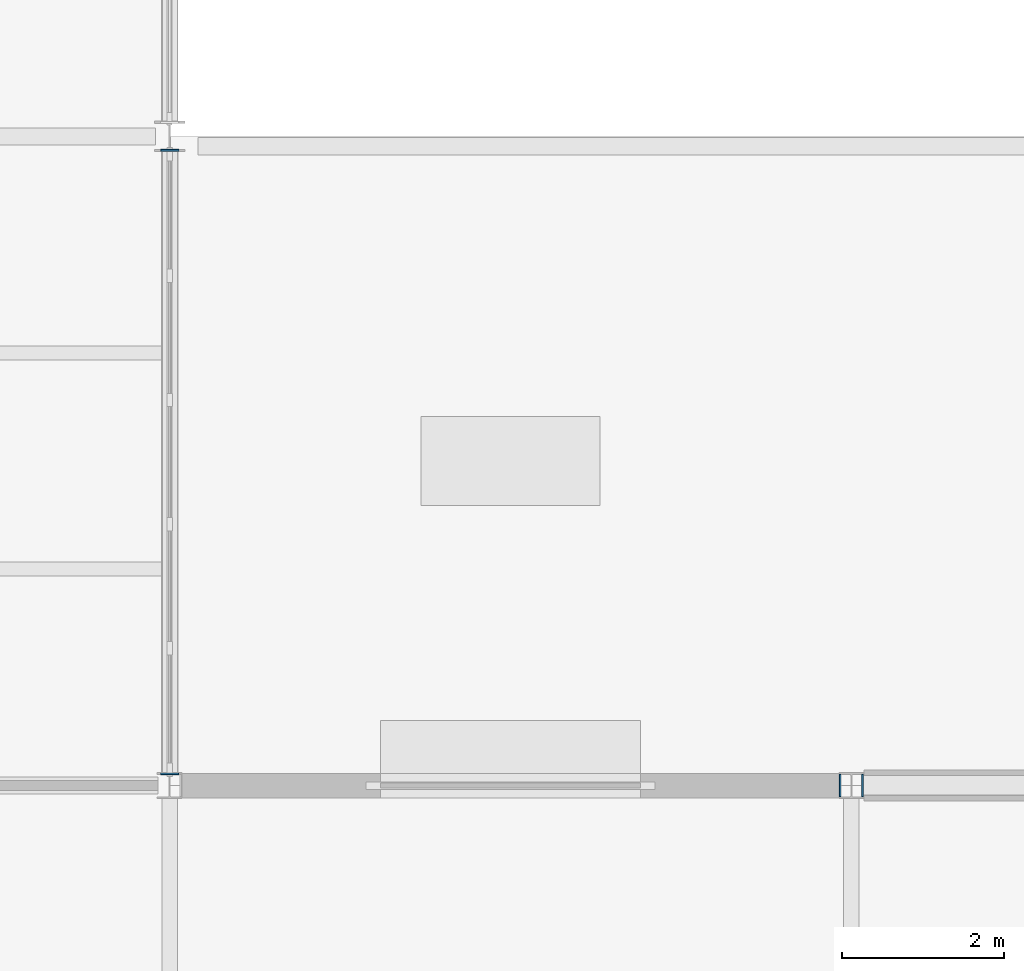
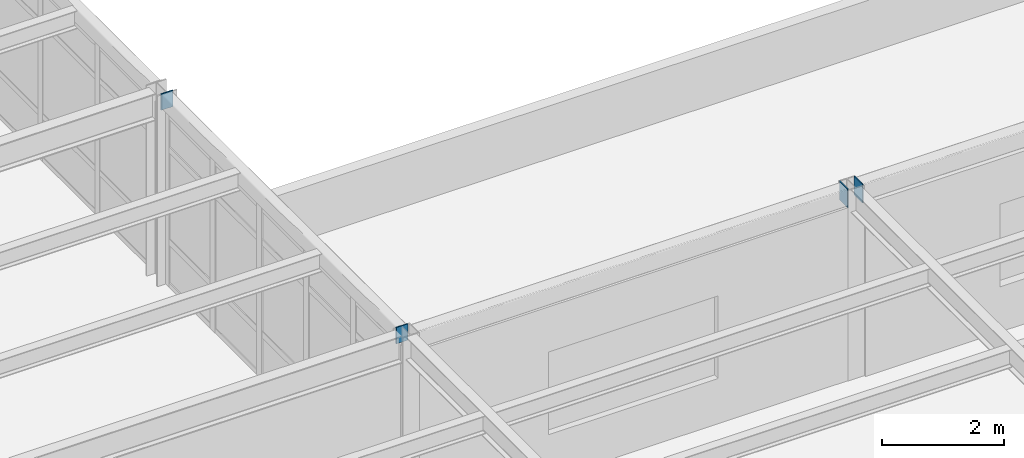
# One storey, part 98 of 138: 4 discrete accessories.
"""IFC4 building model written with IfcOpenShell, lengths in metres."""

from ifc_helpers import new_model, si_unit, direction, frame, origin, origin_2d, place, context, subcontext, project, spatial, rectangle, extrude, material, layer, layer_set, type_object, element, save


model = new_model("IFC4")

# Units and contexts
model_context = context("Model", 3, precision=1e-05, world=origin(), true_north=direction((0.0, 1.0)))
body_context = subcontext(model_context, "Body", "Model", "MODEL_VIEW")
ifc_project = project(units=[si_unit("LENGTHUNIT", "METRE"), si_unit("AREAUNIT", "SQUARE_METRE"), si_unit("VOLUMEUNIT", "CUBIC_METRE"), si_unit("PLANEANGLEUNIT", "RADIAN"), si_unit("MASSUNIT", "GRAM", prefix="KILO")], contexts=[model_context])

# Site, building, storey
site_placement = place(None, origin())
site = spatial("IfcSite", under=ifc_project, at=site_placement, CompositionType="ELEMENT")
building_placement = place(site_placement, origin())
building = spatial("IfcBuilding", under=site, at=building_placement, Name="Kranzveld Transit Interchange", CompositionType="ELEMENT")
storey_placement = place(building_placement, frame((0.0, 0.0, 5.43994140625)))
storey = spatial("IfcBuildingStorey", under=building, at=storey_placement, Name="L01", CompositionType="ELEMENT", Elevation=5.43994140625)

# Discrete accessories
ifc_material = material(Name="Steel S355JR", Category="steel")
ifc_layer = layer(ifc_material, 0.02001953125)
ifc_layer_set = layer_set([ifc_layer], Name="Steel S355JR")
discrete_accessory_type = type_object("IfcDiscreteAccessoryType", Name="Hollow Section End Cap Bracket 20 S355JR", PredefinedType="BRACKET", material=ifc_layer_set)
for number, where, z_axis, x_axis, name in (
    (1, (125.851318359375, 56.0, 3.625), (1.0, 0.0, 0.0), (0.0, 1.0, 0.0), "Hollow Section End Cap SP-RHS350-2"),
    (2, (126.148681640625, 56.0, 3.625), (-1.0, 0.0, 0.0), (0.0, -1.0, 0.0), "Hollow Section End Cap SP-RHS350-1"),
):
    element("IfcDiscreteAccessory", number, at=place(storey_placement, frame(where, z_axis=z_axis, x_axis=x_axis)), inside=storey, type_object=discrete_accessory_type, Name=name, PredefinedType="BRACKET", context=body_context, shape_type="SweptSolid", body=[
        extrude(rectangle(XDim=0.27392578125, YDim=0.3740234375, at=origin_2d()), origin(), (0.0, 0.0, 1.0), 0.02001953125),
    ])
for number, where, z_axis, x_axis, name in (
    (3, (117.60009765625, 56.154296875, 3.650146484375), (0.0, -1.0, 0.0), (1.0, 0.0, 0.0), "Hollow Section End Cap SP-RHS300-1"),
    (4, (117.60009765625, 63.818603515625, 3.650146484375), (0.0, 1.0, 0.0), (-1.0, 0.0, 0.0), "Hollow Section End Cap SP-RHS300-2"),
):
    element("IfcDiscreteAccessory", number, at=place(storey_placement, frame(where, z_axis=z_axis, x_axis=x_axis)), inside=storey, type_object=discrete_accessory_type, Name=name, PredefinedType="BRACKET", context=body_context, shape_type="SweptSolid", body=[
        extrude(rectangle(XDim=0.22412109375, YDim=0.323974609375, at=origin_2d()), origin(), (0.0, 0.0, 1.0), 0.02001953125),
    ])

save(model, "model.ifc")
